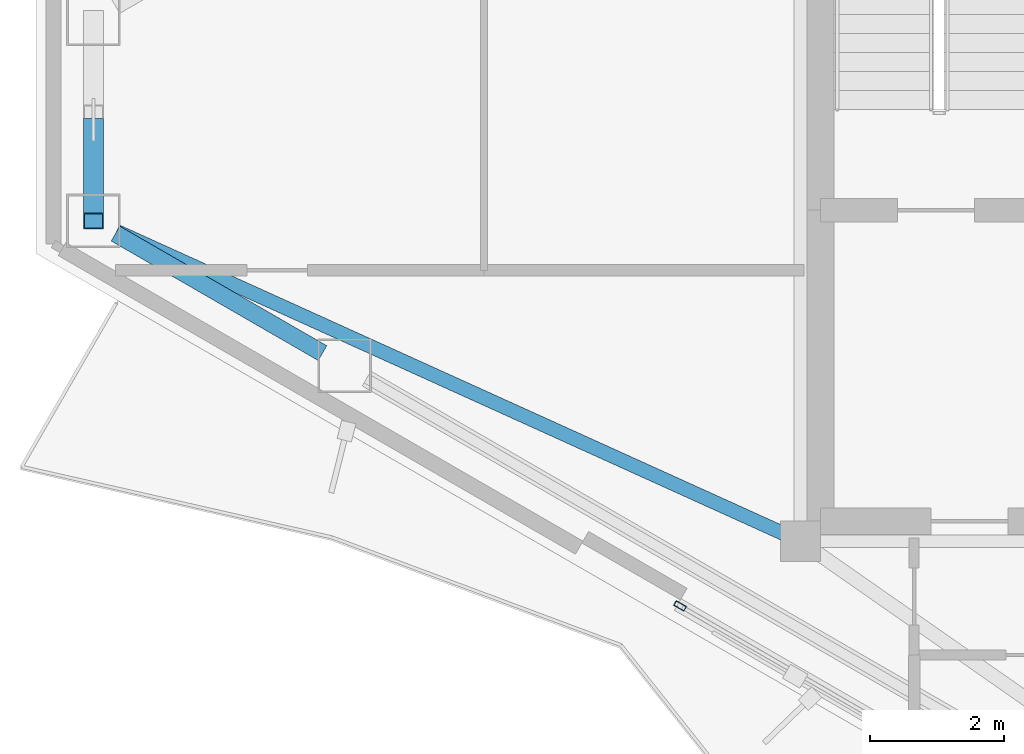
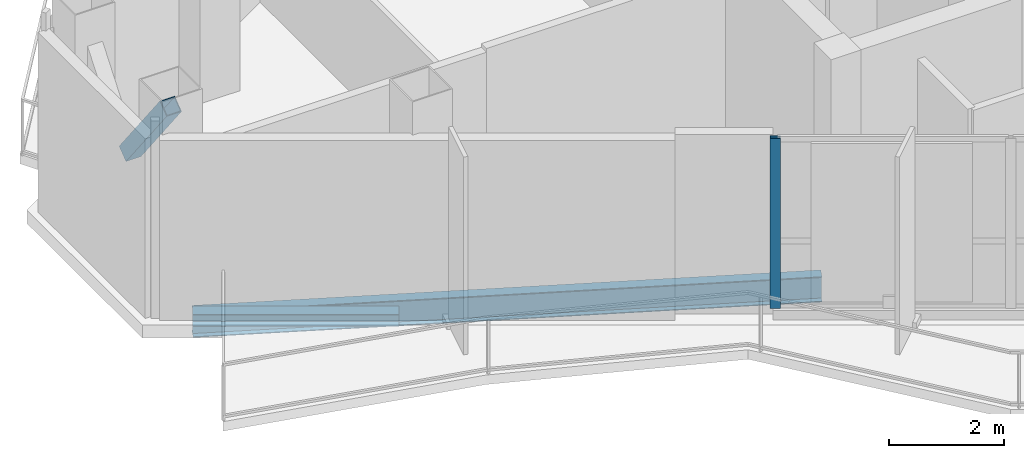
# One storey, part 3 of 14: 2 beams, 2 members, 1 element without a shape of its own.
"""IFC4 building model written with IfcOpenShell, lengths in metres."""

from ifc_helpers import new_model, si_unit, direction, frame, origin, origin_2d, place, context, subcontext, project, spatial, hollow_rectangle, i_section, extrude, material, layer, layer_set, material_profile, profile_set, type_object, element, aggregate, save


model = new_model("IFC4")

# Units and contexts
model_context = context("Model", 3, precision=1e-05, world=origin(), true_north=direction((0.0, 1.0)))
body_context = subcontext(model_context, "Body", "Model", "MODEL_VIEW")
ifc_project = project(units=[si_unit("LENGTHUNIT", "METRE"), si_unit("AREAUNIT", "SQUARE_METRE"), si_unit("VOLUMEUNIT", "CUBIC_METRE"), si_unit("PLANEANGLEUNIT", "RADIAN"), si_unit("MASSUNIT", "GRAM", prefix="KILO")], contexts=[model_context])

# Site, building, storey
site_placement = place(None, origin())
site = spatial("IfcSite", under=ifc_project, at=site_placement, CompositionType="ELEMENT")
building_placement = place(site_placement, origin())
building = spatial("IfcBuilding", under=site, at=building_placement, Name="Mersakhor Tower and Convention Hall", CompositionType="ELEMENT")
storey_placement = place(building_placement, frame((0.0, 0.0, 254.10009765625)))
storey = spatial("IfcBuildingStorey", under=building, at=storey_placement, Name="L71", CompositionType="ELEMENT", Elevation=254.10009765625)

# Beams
ifc_material_1 = material(Name="Steel S355", Category="steel")
ifc_material_profile_1 = material_profile(ifc_material_1, i_section(OverallWidth=0.2099609375, OverallDepth=0.53662109375, WebThickness=0.0107421875, FlangeThickness=0.017333984375, at=origin_2d()), Name="UB 533x210x101")
ifc_profile_set_1 = profile_set([ifc_material_profile_1], Name="Steel S355")
beam_type_1 = type_object("IfcBeamType", Name="BM-FB-533", PredefinedType="BEAM", material=ifc_profile_set_1)
beam_1_placement = place(storey_placement, frame((21.64501953125, 20.565673828125, -0.548583984375), z_axis=(-0.910860191929, 0.412715047895, 0.0), x_axis=(-0.412715047895, -0.910860191929, 0.0)))
element("IfcBeam", 1, at=beam_1_placement, inside=storey, type_object=beam_type_1, Name="L71 Primary Floor Girder FG-6", PredefinedType="BEAM", context=body_context, shape_type="SweptSolid", body=[
    extrude(i_section(OverallWidth=0.2099609375, OverallDepth=0.53662109375, WebThickness=0.0107421875, FlangeThickness=0.017333984375, at=origin_2d()), origin(), (0.0, 0.0, 1.0), 10.9423828125),
])
ifc_material_2 = material(Name="Steel S355", Category="steel")
ifc_material_profile_2 = material_profile(ifc_material_2, i_section(OverallWidth=0.25634765625, OverallDepth=0.26025390625, WebThickness=0.01025390625, FlangeThickness=0.017333984375, at=origin_2d()), Name="UC 254x254x89")
ifc_profile_set_2 = profile_set([ifc_material_profile_2], Name="Steel S355")
beam_type_2 = type_object("IfcBeamType", Name="BM-SPD-UC254", PredefinedType="SPANDREL", material=ifc_profile_set_2)
beam_2_placement = place(storey_placement, frame((14.756591796875, 23.261474609375, -0.41015625), z_axis=(-0.866032030752, 0.499988521579, 0.0), x_axis=(-0.499988521579, -0.866032030752, 0.0)))
element("IfcBeam", 2, at=beam_2_placement, inside=storey, type_object=beam_type_2, Name="L71 Perimeter Spandrel Beam SPB-11", PredefinedType="SPANDREL", context=body_context, shape_type="SweptSolid", body=[
    extrude(i_section(OverallWidth=0.25634765625, OverallDepth=0.26025390625, WebThickness=0.01025390625, FlangeThickness=0.017333984375, at=origin_2d()), origin(), (0.0, 0.0, 1.0), 3.57421875),
])

# Curtain wall, member
ifc_material_3 = material(Name="Dark solar low-E aluminium curtain wall", Category="aluminium")
ifc_layer = layer(ifc_material_3, 0.2099609375)
ifc_layer_set = layer_set([ifc_layer], Name="Dark solar low-E aluminium curtain wall")
curtain_wall_type = type_object("IfcCurtainWallType", Name="CW-SYS-06", PredefinedType="USERDEFINED", material=ifc_layer_set)
curtain_wall_placement = place(storey_placement, origin())
curtain_wall = element("IfcCurtainWall", 3, at=curtain_wall_placement, inside=storey, type_object=curtain_wall_type, Name="L71 Dark-Glass Curtain Wall F3-B2", ObjectType="CURTAIN WALL", PredefinedType="USERDEFINED")
ifc_material_4 = material(Name="Anodised aluminium EN AW-6063 T6", Category="aluminium")
ifc_material_profile_3 = material_profile(ifc_material_4, hollow_rectangle(XDim=0.080078125, YDim=0.179931640625, WallThickness=0.008056640625, at=origin_2d()), Name="RHS 180x80x8")
ifc_profile_set_3 = profile_set([ifc_material_profile_3], Name="Anodised aluminium EN AW-6063 T6")
member_type_1 = type_object("IfcMemberType", Name="CWM-180x80", PredefinedType="MULLION", material=ifc_profile_set_3)
member_1_placement = place(storey_placement, frame((20.1005859375, 19.4833984375, 0.199951171875), z_axis=(0.0, 0.0, 1.0), x_axis=(-0.500004411169, -0.86602285698, 0.0)))
member_1 = element("IfcMember", 4, at=member_1_placement, type_object=member_type_1, Name="CW-06 mullion 3", PredefinedType="MULLION", context=body_context, shape_type="SweptSolid", body=[
    extrude(hollow_rectangle(XDim=0.080078125, YDim=0.179931640625, WallThickness=0.008056640625, at=origin_2d()), origin(), (0.0, 0.0, 1.0), 3.599853515625),
])
aggregate(curtain_wall, [member_1])

# Member
ifc_material_5 = material(Name="Steel S355", Category="steel")
ifc_material_profile_4 = material_profile(ifc_material_5, hollow_rectangle(XDim=0.300048828125, YDim=0.300048828125, WallThickness=0.01611328125, at=origin_2d()), Name="SHS 300x300x16")
ifc_profile_set_4 = profile_set([ifc_material_profile_4], Name="Steel S355")
member_type_2 = type_object("IfcMemberType", Name="MB-BRC-SHS300", PredefinedType="BRACE", material=ifc_profile_set_4)
member_2_placement = place(storey_placement, frame((11.33203125, 26.64990234375, 2.21826171875), z_axis=(0.0, -0.614529291621, 0.788894004122), x_axis=(1.0, 0.0, 0.0)))
element("IfcMember", 5, at=member_2_placement, inside=storey, type_object=member_type_2, Name="L71 Chamfer Braced Frame Diagonal CB-3B Upper Half", PredefinedType="BRACE", context=body_context, shape_type="SweptSolid", body=[
    extrude(hollow_rectangle(XDim=0.300048828125, YDim=0.300048828125, WallThickness=0.01611328125, at=origin_2d()), origin(), (0.0, 0.0, 1.0), 2.29638671875),
])

save(model, "model.ifc")
